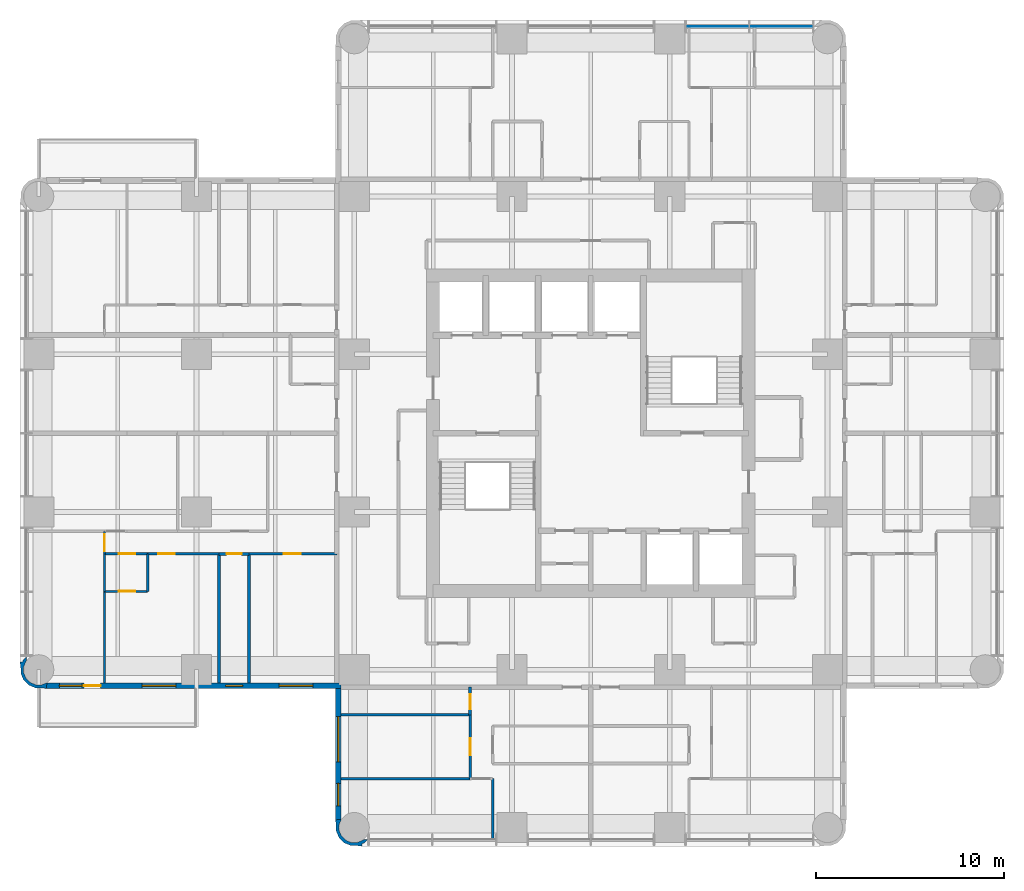
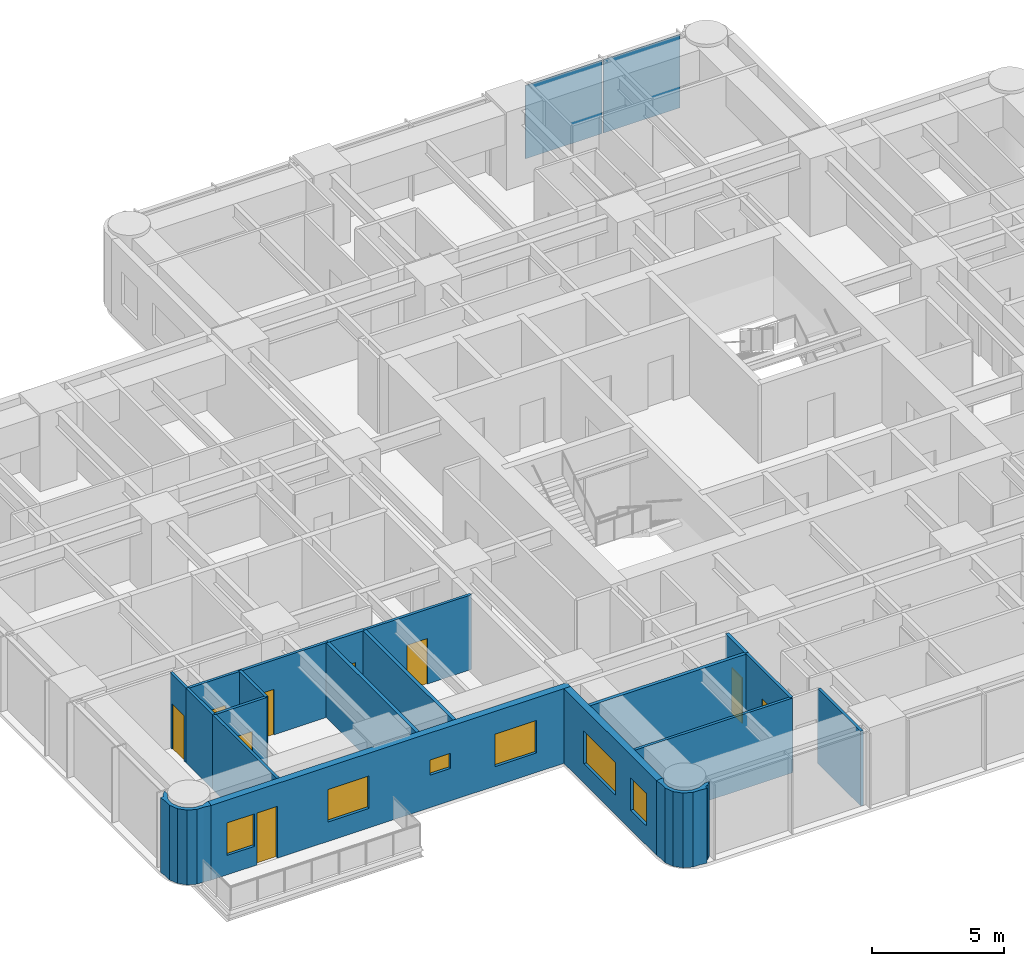
# One storey, part 4 of 11: 20 walls, 9 doors, 6 windows, 2 plates, 15 openings, 1 element without a shape of its own.
"""IFC4 building model written with IfcOpenShell, lengths in metres."""

from ifc_helpers import new_model, si_unit, direction, frame, frame_2d, origin, origin_2d, place, context, subcontext, project, spatial, polyline, rectangle, outline, extrude, material, layer, layer_set, type_object, element, fill, aggregate, save


model = new_model("IFC4")

# Units and contexts
model_context = context("Model", 3, precision=1e-05, world=origin(), true_north=direction((0.0, 1.0)))
body_context = subcontext(model_context, "Body", "Model", "MODEL_VIEW")
ifc_project = project(units=[si_unit("LENGTHUNIT", "METRE"), si_unit("AREAUNIT", "SQUARE_METRE"), si_unit("VOLUMEUNIT", "CUBIC_METRE"), si_unit("PLANEANGLEUNIT", "RADIAN"), si_unit("MASSUNIT", "GRAM", prefix="KILO")], contexts=[model_context])

# Site, building, storey
site_placement = place(None, origin())
site = spatial("IfcSite", under=ifc_project, at=site_placement, CompositionType="ELEMENT")
building_placement = place(site_placement, origin())
building = spatial("IfcBuilding", under=site, at=building_placement, Name="Torre Alcanfor", CompositionType="ELEMENT")
storey_placement = place(building_placement, frame((0.0, 0.0, 240.89990234375)))
storey = spatial("IfcBuildingStorey", under=building, at=storey_placement, Name="L63", CompositionType="ELEMENT", Elevation=240.89990234375)

# Curtain wall, plates
ifc_material_1 = material(Name="Aluminium and glass", Category="aluminium")
curtain_wall_type = type_object("IfcCurtainWallType", Name="CW-A unitised apartment glazing with vertical FIN", PredefinedType="NOTDEFINED", material=ifc_material_1)
curtain_wall_placement = place(storey_placement, origin())
curtain_wall = element("IfcCurtainWall", 1, at=curtain_wall_placement, inside=storey, type_object=curtain_wall_type, Name="Curtain wall CW-A L63 11", PredefinedType="NOTDEFINED")
ifc_material_2 = material(Name="Glass", Category="glass")
ifc_layer_1 = layer(ifc_material_2, 0.028076171875)
ifc_layer_set_1 = layer_set([ifc_layer_1], Name="CW-A clear double glazed unit")
plate_type = type_object("IfcPlateType", Name="CW-A clear double glazed unit", PredefinedType="CURTAIN_PANEL", material=ifc_layer_set_1)
plate_1_placement = place(storey_placement, frame((39.541259765625, 51.050048828125, 0.0), z_axis=(0.0, 0.0, 1.0), x_axis=(-1.0, 0.0, 0.0)))
plate_1 = element("IfcPlate", 2, at=plate_1_placement, type_object=plate_type, Name="CW-A panel 1.1.1", PredefinedType="CURTAIN_PANEL", context=body_context, shape_type="SweptSolid", body=[
    extrude(rectangle(XDim=3.337646484375, YDim=0.028076171875, at=origin_2d()), origin(), (0.0, 0.0, 1.0), 3.385009765625),
])
plate_2_placement = place(storey_placement, frame((36.138671875, 51.050048828125, 0.0), z_axis=(0.0, 0.0, 1.0), x_axis=(-1.0, 0.0, 0.0)))
plate_2 = element("IfcPlate", 3, at=plate_2_placement, type_object=plate_type, Name="CW-A panel 1.2.1", PredefinedType="CURTAIN_PANEL", context=body_context, shape_type="SweptSolid", body=[
    extrude(rectangle(XDim=3.337646484375, YDim=0.028076171875, at=origin_2d()), origin(), (0.0, 0.0, 1.0), 3.385009765625),
])
aggregate(curtain_wall, [plate_1, plate_2])

# Wall, opening, door
ifc_material_3 = material(Name="Gypsum board on steel studs", Category="steel")
ifc_layer_2 = layer(ifc_material_3, 0.1201171875)
ifc_layer_set_2 = layer_set([ifc_layer_2], Name="Apartment partition 120")
wall_type_1 = type_object("IfcWallType", Name="Apartment partition 120", PredefinedType="PARTITIONING", material=ifc_layer_set_2)
wall_1_placement = place(storey_placement, frame((22.970947265625, 11.0, 0.0), z_axis=(0.0, 0.0, 1.0), x_axis=(0.0, 1.0, 0.0)))
wall_1 = element("IfcWall", 4, at=wall_1_placement, inside=storey, type_object=wall_type_1, Name="Partition L63-S2-LIVING / L63-S2-STUDY", PredefinedType="PARTITIONING", context=body_context, shape_type="SweptSolid", body=[
    extrude(rectangle(XDim=3.39990234375, YDim=0.1201171875, at=frame_2d((1.699951171875, 0.0))), origin(), (0.0, 0.0, 1.0), 3.4501953125),
])
opening_1_placement = place(wall_1_placement, frame((1.25, 0.0, 0.0)))
opening_1 = element("IfcOpeningElement", 5, at=opening_1_placement, cuts=wall_1, Name="Opening D-R1", PredefinedType="OPENING", context=body_context, shape_type="SweptSolid", body=[
    extrude(rectangle(XDim=0.89990234375, YDim=2.10009765625, at=frame_2d((0.449951171875, 1.050048828125))), frame((0.0, 0.070068359375, 0.0), z_axis=(0.0, -1.0, 0.0), x_axis=(1.0, 0.0, 0.0)), (0.0, 0.0, 1.0), 0.14013671875),
])
ifc_material_4 = material(Name="Timber", Category="wood")
door_type_1 = type_object("IfcDoorType", Name="Internal door 900x2100", OperationType="SINGLE_SWING_LEFT", PredefinedType="DOOR", material=ifc_material_4)
door_1_placement = place(opening_1_placement, origin())
door_1 = element("IfcDoor", 6, at=door_1_placement, inside=storey, type_object=door_type_1, Name="Door L63-S2 study", OperationType="SINGLE_SWING_LEFT", OverallHeight=2.10009765625, OverallWidth=0.89990234375, PredefinedType="DOOR", context=body_context, shape_type="SweptSolid", body=[
    extrude(rectangle(XDim=0.89990234375, YDim=2.10009765625, at=frame_2d((0.449951171875, 1.050048828125))), frame((0.0, 0.02490234375, 0.0), z_axis=(0.0, -1.0, 0.0), x_axis=(1.0, 0.0, 0.0)), (0.0, 0.0, 1.0), 0.050048828125),
])
fill(opening_1, door_1)

# Walls
wall_2_placement = place(storey_placement, frame((24.1708984375, 7.75, 0.0), z_axis=(0.0, 0.0, 1.0), x_axis=(0.0, 1.0, 0.0)))
element("IfcWall", 7, at=wall_2_placement, inside=storey, type_object=wall_type_1, Name="Partition L63-S2-LIVING / L63-S2-MASTER", PredefinedType="PARTITIONING", context=body_context, shape_type="SweptSolid", body=[
    extrude(rectangle(XDim=3.25, YDim=0.1201171875, at=frame_2d((1.625, 0.0))), origin(), (0.0, 0.0, 1.0), 3.4501953125),
])
wall_3_placement = place(storey_placement, frame((22.970947265625, 11.0, 0.0), z_axis=(0.0, 0.0, 1.0), x_axis=(-1.0, 0.0, 0.0)))
element("IfcWall", 8, at=wall_3_placement, inside=storey, type_object=wall_type_1, Name="Partition L63-S2-STUDY / L63-S2-MASTER", PredefinedType="PARTITIONING", context=body_context, shape_type="SweptSolid", body=[
    extrude(rectangle(XDim=6.870849609375, YDim=0.1201171875, at=frame_2d((3.435546875, 0.0))), origin(), (0.0, 0.0, 1.0), 3.4501953125),
])

# Wall, opening, door
wall_4_placement = place(storey_placement, frame((11.199951171875, 22.970947265625, 0.0), z_axis=(0.0, 0.0, 1.0), x_axis=(1.0, 0.0, 0.0)))
wall_4 = element("IfcWall", 9, at=wall_4_placement, inside=storey, type_object=wall_type_1, Name="Partition L63-W1-HALL / L63-W1-BED2", PredefinedType="PARTITIONING", context=body_context, shape_type="SweptSolid", body=[
    extrude(rectangle(XDim=4.675048828125, YDim=0.1201171875, at=frame_2d((2.33740234375, 0.0))), origin(), (0.0, 0.0, 1.0), 3.4501953125),
])
opening_2_placement = place(wall_4_placement, frame((1.85009765625, 0.0, 0.0)))
opening_2 = element("IfcOpeningElement", 10, at=opening_2_placement, cuts=wall_4, Name="Opening D-R1", PredefinedType="OPENING", context=body_context, shape_type="SweptSolid", body=[
    extrude(rectangle(XDim=0.89990234375, YDim=2.10009765625, at=frame_2d((0.449951171875, 1.050048828125))), frame((0.0, 0.070068359375, 0.0), z_axis=(0.0, -1.0, 0.0), x_axis=(1.0, 0.0, 0.0)), (0.0, 0.0, 1.0), 0.14013671875),
])
door_2_placement = place(opening_2_placement, frame((0.89990234375, 0.0, 0.0), z_axis=(0.0, 0.0, 1.0), x_axis=(-1.0, 0.0, 0.0)))
door_2 = element("IfcDoor", 11, at=door_2_placement, inside=storey, type_object=door_type_1, Name="Door L63-W1 bed2", OperationType="SINGLE_SWING_RIGHT", OverallHeight=2.10009765625, OverallWidth=0.89990234375, PredefinedType="DOOR", context=body_context, shape_type="SweptSolid", body=[
    extrude(rectangle(XDim=0.89990234375, YDim=2.10009765625, at=frame_2d((0.449951171875, 1.050048828125))), frame((0.0, 0.025146484375, 0.0), z_axis=(0.0, -1.0, 0.0), x_axis=(1.0, 0.0, 0.0)), (0.0, 0.0, 1.0), 0.050048828125),
])
fill(opening_2, door_2)

wall_5_placement = place(storey_placement, frame((5.800048828125, 22.970947265625, 0.0), z_axis=(0.0, 0.0, 1.0), x_axis=(1.0, 0.0, 0.0)))
wall_5 = element("IfcWall", 12, at=wall_5_placement, inside=storey, type_object=wall_type_1, Name="Partition L63-W1-HALL / L63-W1-MASTER", PredefinedType="PARTITIONING", context=body_context, shape_type="SweptSolid", body=[
    extrude(rectangle(XDim=3.800048828125, YDim=0.1201171875, at=frame_2d((1.89990234375, 0.0))), origin(), (0.0, 0.0, 1.0), 3.4501953125),
])
opening_3_placement = place(wall_5_placement, frame((0.550048828125, 0.0, 0.0)))
opening_3 = element("IfcOpeningElement", 13, at=opening_3_placement, cuts=wall_5, Name="Opening D-R1", PredefinedType="OPENING", context=body_context, shape_type="SweptSolid", body=[
    extrude(rectangle(XDim=0.89990234375, YDim=2.10009765625, at=frame_2d((0.449951171875, 1.050048828125))), frame((0.0, 0.070068359375, 0.0), z_axis=(0.0, -1.0, 0.0), x_axis=(1.0, 0.0, 0.0)), (0.0, 0.0, 1.0), 0.14013671875),
])
door_3_placement = place(opening_3_placement, frame((0.89990234375, 0.0, 0.0), z_axis=(0.0, 0.0, 1.0), x_axis=(-1.0, 0.0, 0.0)))
door_3 = element("IfcDoor", 14, at=door_3_placement, inside=storey, type_object=door_type_1, Name="Door L63-W1 master", OperationType="SINGLE_SWING_RIGHT", OverallHeight=2.10009765625, OverallWidth=0.89990234375, PredefinedType="DOOR", context=body_context, shape_type="SweptSolid", body=[
    extrude(rectangle(XDim=0.89990234375, YDim=2.10009765625, at=frame_2d((0.449951171875, 1.050048828125))), frame((0.0, 0.025146484375, 0.0), z_axis=(0.0, -1.0, 0.0), x_axis=(1.0, 0.0, 0.0)), (0.0, 0.0, 1.0), 0.050048828125),
])
fill(opening_3, door_3)

wall_6_placement = place(storey_placement, frame((3.5, 22.970947265625, 0.0), z_axis=(0.0, 0.0, 1.0), x_axis=(1.0, 0.0, 0.0)))
wall_6 = element("IfcWall", 15, at=wall_6_placement, inside=storey, type_object=wall_type_1, Name="Partition L63-W1-HALL / L63-W1-VEST", PredefinedType="PARTITIONING", context=body_context, shape_type="SweptSolid", body=[
    extrude(rectangle(XDim=2.300048828125, YDim=0.1201171875, at=frame_2d((1.14990234375, 0.0))), origin(), (0.0, 0.0, 1.0), 3.4501953125),
])
opening_4_placement = place(wall_6_placement, frame((0.75, 0.0, 0.0)))
opening_4 = element("IfcOpeningElement", 16, at=opening_4_placement, cuts=wall_6, Name="Opening D-R1", PredefinedType="OPENING", context=body_context, shape_type="SweptSolid", body=[
    extrude(rectangle(XDim=0.89990234375, YDim=2.10009765625, at=frame_2d((0.449951171875, 1.050048828125))), frame((0.0, 0.070068359375, 0.0), z_axis=(0.0, -1.0, 0.0), x_axis=(1.0, 0.0, 0.0)), (0.0, 0.0, 1.0), 0.14013671875),
])
door_4_placement = place(opening_4_placement, frame((0.89990234375, 0.0, 0.0), z_axis=(0.0, 0.0, 1.0), x_axis=(-1.0, 0.0, 0.0)))
door_4 = element("IfcDoor", 17, at=door_4_placement, inside=storey, type_object=door_type_1, Name="Door L63-W1 vest", OperationType="SINGLE_SWING_LEFT", OverallHeight=2.10009765625, OverallWidth=0.89990234375, PredefinedType="DOOR", context=body_context, shape_type="SweptSolid", body=[
    extrude(rectangle(XDim=0.89990234375, YDim=2.10009765625, at=frame_2d((0.449951171875, 1.050048828125))), frame((0.0, 0.025146484375, 0.0), z_axis=(0.0, -1.0, 0.0), x_axis=(1.0, 0.0, 0.0)), (0.0, 0.0, 1.0), 0.050048828125),
])
fill(opening_4, door_4)

wall_7_placement = place(storey_placement, frame((3.5, 24.1708984375, 0.0), z_axis=(0.0, 0.0, 1.0), x_axis=(0.0, -1.0, 0.0)))
wall_7 = element("IfcWall", 18, at=wall_7_placement, inside=storey, type_object=wall_type_1, Name="Partition L63-W1-HALL / L63-W1-WGARD", PredefinedType="PARTITIONING", context=body_context, shape_type="SweptSolid", body=[
    extrude(rectangle(XDim=1.199951171875, YDim=0.1201171875, at=frame_2d((0.60009765625, 0.0))), origin(), (0.0, 0.0, 1.0), 3.4501953125),
])
opening_5_placement = place(wall_7_placement, frame((0.15087890625, 0.0, 0.0)))
opening_5 = element("IfcOpeningElement", 19, at=opening_5_placement, cuts=wall_7, Name="Opening D-R1", PredefinedType="OPENING", context=body_context, shape_type="SweptSolid", body=[
    extrude(rectangle(XDim=0.89990234375, YDim=2.10009765625, at=frame_2d((0.449951171875, 1.050048828125))), frame((0.0, 0.070068359375, 0.0), z_axis=(0.0, -1.0, 0.0), x_axis=(1.0, 0.0, 0.0)), (0.0, 0.0, 1.0), 0.14013671875),
])
door_5_placement = place(opening_5_placement, frame((0.89990234375, 0.0, 0.0), z_axis=(0.0, 0.0, 1.0), x_axis=(-1.0, 0.0, 0.0)))
door_5 = element("IfcDoor", 20, at=door_5_placement, inside=storey, type_object=door_type_1, Name="Door L63-W1 wgard", OperationType="SINGLE_SWING_RIGHT", OverallHeight=2.10009765625, OverallWidth=0.89990234375, PredefinedType="DOOR", context=body_context, shape_type="SweptSolid", body=[
    extrude(rectangle(XDim=0.89990234375, YDim=2.10009765625, at=frame_2d((0.449951171875, 1.050048828125))), frame((0.0, 0.025146484375, 0.0), z_axis=(0.0, -1.0, 0.0), x_axis=(1.0, 0.0, 0.0)), (0.0, 0.0, 1.0), 0.050048828125),
])
fill(opening_5, door_5)

wall_8_placement = place(storey_placement, frame((3.5, 20.970947265625, 0.0), z_axis=(0.0, 0.0, 1.0), x_axis=(1.0, 0.0, 0.0)))
wall_8 = element("IfcWall", 21, at=wall_8_placement, inside=storey, type_object=wall_type_1, Name="Partition L63-W1-MASTER / L63-W1-VEST", PredefinedType="PARTITIONING", context=body_context, shape_type="SweptSolid", body=[
    extrude(rectangle(XDim=2.300048828125, YDim=0.1201171875, at=frame_2d((1.14990234375, 0.0))), origin(), (0.0, 0.0, 1.0), 3.4501953125),
])
opening_6_placement = place(wall_8_placement, frame((0.75, 0.0, 0.0)))
opening_6 = element("IfcOpeningElement", 22, at=opening_6_placement, cuts=wall_8, Name="Opening D-R1", PredefinedType="OPENING", context=body_context, shape_type="SweptSolid", body=[
    extrude(rectangle(XDim=0.89990234375, YDim=2.10009765625, at=frame_2d((0.449951171875, 1.050048828125))), frame((0.0, 0.070068359375, 0.0), z_axis=(0.0, -1.0, 0.0), x_axis=(1.0, 0.0, 0.0)), (0.0, 0.0, 1.0), 0.14013671875),
])
door_6_placement = place(opening_6_placement, origin())
door_6 = element("IfcDoor", 23, at=door_6_placement, inside=storey, type_object=door_type_1, Name="Door L63-W1 master", OperationType="SINGLE_SWING_RIGHT", OverallHeight=2.10009765625, OverallWidth=0.89990234375, PredefinedType="DOOR", context=body_context, shape_type="SweptSolid", body=[
    extrude(rectangle(XDim=0.89990234375, YDim=2.10009765625, at=frame_2d((0.449951171875, 1.050048828125))), frame((0.0, 0.02490234375, 0.0), z_axis=(0.0, -1.0, 0.0), x_axis=(1.0, 0.0, 0.0)), (0.0, 0.0, 1.0), 0.050048828125),
])
fill(opening_6, door_6)

# Walls
wall_9_placement = place(storey_placement, frame((5.800048828125, 20.970947265625, 0.0), z_axis=(0.0, 0.0, 1.0), x_axis=(0.0, 1.0, 0.0)))
element("IfcWall", 24, at=wall_9_placement, inside=storey, type_object=wall_type_1, Name="Partition L63-W1-MASTER / L63-W1-VEST", PredefinedType="PARTITIONING", context=body_context, shape_type="SweptSolid", body=[
    extrude(rectangle(XDim=2.0, YDim=0.1201171875, at=frame_2d((1.0, 0.0))), origin(), (0.0, 0.0, 1.0), 3.4501953125),
])
wall_10_placement = place(storey_placement, frame((3.5, 16.10009765625, 0.0), z_axis=(0.0, 0.0, 1.0), x_axis=(0.0, 1.0, 0.0)))
element("IfcWall", 25, at=wall_10_placement, inside=storey, type_object=wall_type_1, Name="Partition L63-W1-MASTER / L63-W1-WGARD", PredefinedType="PARTITIONING", context=body_context, shape_type="SweptSolid", body=[
    extrude(rectangle(XDim=4.870849609375, YDim=0.1201171875, at=frame_2d((2.435546875, 0.0))), origin(), (0.0, 0.0, 1.0), 3.4501953125),
])
wall_11_placement = place(storey_placement, frame((3.5, 22.970947265625, 0.0), z_axis=(0.0, 0.0, 1.0), x_axis=(0.0, -1.0, 0.0)))
element("IfcWall", 26, at=wall_11_placement, inside=storey, type_object=wall_type_1, Name="Partition L63-W1-VEST / L63-W1-WGARD", PredefinedType="PARTITIONING", context=body_context, shape_type="SweptSolid", body=[
    extrude(rectangle(XDim=2.0, YDim=0.1201171875, at=frame_2d((1.0, 0.0))), origin(), (0.0, 0.0, 1.0), 3.4501953125),
])

# Wall, openings, door, windows
ifc_material_5 = material(Name="Limestone cladding", Category="masonry")
ifc_layer_3 = layer(ifc_material_5, 0.0400390625, Name="Facing")
ifc_material_6 = material(Name="Ventilated air cavity")
ifc_layer_4 = layer(ifc_material_6, 0.02001953125, ventilated=True, Name="Ventilated joint")
ifc_material_7 = material(Name="Mineral wool insulation", Category="insulation")
ifc_layer_5 = layer(ifc_material_7, 0.10009765625, Name="Insulation")
ifc_material_8 = material(Name="Concrete f'c 35 MPa", Category="concrete")
ifc_layer_6 = layer(ifc_material_8, 0.139892578125, Name="Backing")
ifc_layer_set_3 = layer_set([ifc_layer_3, ifc_layer_4, ifc_layer_5, ifc_layer_6], Name="External wall stone-clad 300")
wall_type_2 = type_object("IfcWallType", Name="External wall stone-clad 300", PredefinedType="SOLIDWALL", material=ifc_layer_set_3)
wall_12_placement = place(storey_placement, frame((0.39990234375, 15.949951171875, 0.0), z_axis=(0.0, 0.0, 1.0), x_axis=(1.0, 0.0, 0.0)))
wall_12 = element("IfcWall", 27, at=wall_12_placement, inside=storey, type_object=wall_type_2, Name="External wall L63 3", PredefinedType="SOLIDWALL", context=body_context, shape_type="SweptSolid", body=[
    extrude(rectangle(XDim=15.7001953125, YDim=0.300048828125, at=frame_2d((7.85009765625, 0.0))), origin(), (0.0, 0.0, 1.0), 3.4501953125),
])
opening_7_placement = place(wall_12_placement, frame((12.39990234375, 0.0, 0.89990234375)))
opening_7 = element("IfcOpeningElement", 28, at=opening_7_placement, cuts=wall_12, Name="Opening W2", PredefinedType="OPENING", context=body_context, shape_type="SweptSolid", body=[
    extrude(rectangle(XDim=1.800048828125, YDim=1.5, at=frame_2d((0.89990234375, 0.75))), frame((0.0, 0.159912109375, 0.0), z_axis=(0.0, -1.0, 0.0), x_axis=(1.0, 0.0, 0.0)), (0.0, 0.0, 1.0), 0.320068359375),
])
opening_8_placement = place(wall_12_placement, frame((9.550048828125, 0.0, 1.5)))
opening_8 = element("IfcOpeningElement", 29, at=opening_8_placement, cuts=wall_12, Name="Opening W3", PredefinedType="OPENING", context=body_context, shape_type="SweptSolid", body=[
    extrude(rectangle(XDim=0.89990234375, YDim=0.699951171875, at=frame_2d((0.449951171875, 0.35009765625))), frame((0.0, 0.159912109375, 0.0), z_axis=(0.0, -1.0, 0.0), x_axis=(1.0, 0.0, 0.0)), (0.0, 0.0, 1.0), 0.320068359375),
])
opening_9_placement = place(wall_12_placement, frame((5.10009765625, 0.0, 0.89990234375)))
opening_9 = element("IfcOpeningElement", 30, at=opening_9_placement, cuts=wall_12, Name="Opening W2", PredefinedType="OPENING", context=body_context, shape_type="SweptSolid", body=[
    extrude(rectangle(XDim=1.800048828125, YDim=1.5, at=frame_2d((0.89990234375, 0.75))), frame((0.0, 0.159912109375, 0.0), z_axis=(0.0, -1.0, 0.0), x_axis=(1.0, 0.0, 0.0)), (0.0, 0.0, 1.0), 0.320068359375),
])
opening_10_placement = place(wall_12_placement, frame((2.0, 0.0, 0.0)))
opening_10 = element("IfcOpeningElement", 31, at=opening_10_placement, cuts=wall_12, Name="Opening D-B1", PredefinedType="OPENING", context=body_context, shape_type="SweptSolid", body=[
    extrude(rectangle(XDim=0.89990234375, YDim=2.39990234375, at=frame_2d((0.449951171875, 1.199951171875))), frame((0.0, 0.159912109375, 0.0), z_axis=(0.0, -1.0, 0.0), x_axis=(1.0, 0.0, 0.0)), (0.0, 0.0, 1.0), 0.320068359375),
])
opening_11_placement = place(wall_12_placement, frame((0.699951171875, 0.0, 0.89990234375)))
opening_11 = element("IfcOpeningElement", 32, at=opening_11_placement, cuts=wall_12, Name="Opening W4", PredefinedType="OPENING", context=body_context, shape_type="SweptSolid", body=[
    extrude(rectangle(XDim=1.199951171875, YDim=1.5, at=frame_2d((0.60009765625, 0.75))), frame((0.0, 0.159912109375, 0.0), z_axis=(0.0, -1.0, 0.0), x_axis=(1.0, 0.0, 0.0)), (0.0, 0.0, 1.0), 0.320068359375),
])
ifc_material_9 = material(Name="Aluminium and glass", Category="aluminium")
door_type_2 = type_object("IfcDoorType", Name="Balcony door glazed 900x2400", OperationType="SINGLE_SWING_LEFT", PredefinedType="DOOR", material=ifc_material_9)
door_7_placement = place(opening_10_placement, origin())
door_7 = element("IfcDoor", 33, at=door_7_placement, inside=storey, type_object=door_type_2, Name="Balcony door L63-W1", OperationType="SINGLE_SWING_RIGHT", OverallHeight=2.39990234375, OverallWidth=0.89990234375, PredefinedType="DOOR", context=body_context, shape_type="SweptSolid", body=[
    extrude(rectangle(XDim=0.89990234375, YDim=2.39990234375, at=frame_2d((0.449951171875, 1.199951171875))), frame((0.0, 0.02490234375, 0.0), z_axis=(0.0, -1.0, 0.0), x_axis=(1.0, 0.0, 0.0)), (0.0, 0.0, 1.0), 0.050048828125),
])
fill(opening_10, door_7)
ifc_material_10 = material(Name="Aluminium frame with clear double glazing", Category="aluminium")
window_type_1 = type_object("IfcWindowType", Name="Window bathroom 900x700", PartitioningType="SINGLE_PANEL", PredefinedType="WINDOW", material=ifc_material_10)
window_1_placement = place(opening_8_placement, origin())
window_1 = element("IfcWindow", 34, at=window_1_placement, inside=storey, type_object=window_type_1, Name="Window W3 L63-W1", OverallHeight=0.699951171875, OverallWidth=0.89990234375, PartitioningType="SINGLE_PANEL", PredefinedType="WINDOW", context=body_context, shape_type="SweptSolid", body=[
    extrude(rectangle(XDim=0.89990234375, YDim=0.699951171875, at=frame_2d((0.449951171875, 0.35009765625))), frame((0.0, 0.030029296875, 0.0), z_axis=(0.0, -1.0, 0.0), x_axis=(1.0, 0.0, 0.0)), (0.0, 0.0, 1.0), 0.06005859375),
])
fill(opening_8, window_1)
ifc_material_11 = material(Name="Aluminium frame with clear double glazing", Category="aluminium")
window_type_2 = type_object("IfcWindowType", Name="Window bedroom 1200x1500", PartitioningType="SINGLE_PANEL", PredefinedType="WINDOW", material=ifc_material_11)
window_2_placement = place(opening_11_placement, origin())
window_2 = element("IfcWindow", 35, at=window_2_placement, inside=storey, type_object=window_type_2, Name="Window W4 L63-W1", OverallHeight=1.5, OverallWidth=1.199951171875, PartitioningType="SINGLE_PANEL", PredefinedType="WINDOW", context=body_context, shape_type="SweptSolid", body=[
    extrude(rectangle(XDim=1.199951171875, YDim=1.5, at=frame_2d((0.60009765625, 0.75))), frame((0.0, 0.030029296875, 0.0), z_axis=(0.0, -1.0, 0.0), x_axis=(1.0, 0.0, 0.0)), (0.0, 0.0, 1.0), 0.06005859375),
])
fill(opening_11, window_2)
ifc_material_12 = material(Name="Aluminium frame with clear double glazing", Category="aluminium")
window_type_3 = type_object("IfcWindowType", Name="Window bedroom 1800x1500", PartitioningType="SINGLE_PANEL", PredefinedType="WINDOW", material=ifc_material_12)
window_3_placement = place(opening_7_placement, origin())
window_3 = element("IfcWindow", 36, at=window_3_placement, inside=storey, type_object=window_type_3, Name="Window W2 L63-W1", OverallHeight=1.5, OverallWidth=1.800048828125, PartitioningType="SINGLE_PANEL", PredefinedType="WINDOW", context=body_context, shape_type="SweptSolid", body=[
    extrude(rectangle(XDim=1.800048828125, YDim=1.5, at=frame_2d((0.89990234375, 0.75))), frame((0.0, 0.030029296875, 0.0), z_axis=(0.0, -1.0, 0.0), x_axis=(1.0, 0.0, 0.0)), (0.0, 0.0, 1.0), 0.06005859375),
])
fill(opening_7, window_3)
window_4_placement = place(opening_9_placement, origin())
window_4 = element("IfcWindow", 37, at=window_4_placement, inside=storey, type_object=window_type_3, Name="Window W2 L63-W1", OverallHeight=1.5, OverallWidth=1.800048828125, PartitioningType="SINGLE_PANEL", PredefinedType="WINDOW", context=body_context, shape_type="SweptSolid", body=[
    extrude(rectangle(XDim=1.800048828125, YDim=1.5, at=frame_2d((0.89990234375, 0.75))), frame((0.0, 0.030029296875, 0.0), z_axis=(0.0, -1.0, 0.0), x_axis=(1.0, 0.0, 0.0)), (0.0, 0.0, 1.0), 0.06005859375),
])
fill(opening_9, window_4)

# Wall, openings, windows
wall_13_placement = place(storey_placement, frame((15.949951171875, 15.800048828125, 0.0), z_axis=(0.0, 0.0, 1.0), x_axis=(0.0, -1.0, 0.0)))
wall_13 = element("IfcWall", 38, at=wall_13_placement, inside=storey, type_object=wall_type_2, Name="External wall L63 4", PredefinedType="SOLIDWALL", context=body_context, shape_type="SweptSolid", body=[
    extrude(rectangle(XDim=7.0, YDim=0.300048828125, at=frame_2d((3.5, 0.0))), origin(), (0.0, 0.0, 1.0), 3.4501953125),
])
opening_12_placement = place(wall_13_placement, frame((1.5, 0.0, 0.89990234375)))
opening_12 = element("IfcOpeningElement", 39, at=opening_12_placement, cuts=wall_13, Name="Opening W1", PredefinedType="OPENING", context=body_context, shape_type="SweptSolid", body=[
    extrude(rectangle(XDim=2.39990234375, YDim=1.5, at=frame_2d((1.199951171875, 0.75))), frame((0.0, 0.159912109375, 0.0), z_axis=(0.0, -1.0, 0.0), x_axis=(1.0, 0.0, 0.0)), (0.0, 0.0, 1.0), 0.320068359375),
])
opening_13_placement = place(wall_13_placement, frame((5.050048828125, 0.0, 0.89990234375)))
opening_13 = element("IfcOpeningElement", 40, at=opening_13_placement, cuts=wall_13, Name="Opening W4", PredefinedType="OPENING", context=body_context, shape_type="SweptSolid", body=[
    extrude(rectangle(XDim=1.199951171875, YDim=1.5, at=frame_2d((0.60009765625, 0.75))), frame((0.0, 0.159912109375, 0.0), z_axis=(0.0, -1.0, 0.0), x_axis=(1.0, 0.0, 0.0)), (0.0, 0.0, 1.0), 0.320068359375),
])
window_5_placement = place(opening_13_placement, origin())
window_5 = element("IfcWindow", 41, at=window_5_placement, inside=storey, type_object=window_type_2, Name="Window W4 L63-S2", OverallHeight=1.5, OverallWidth=1.199951171875, PartitioningType="SINGLE_PANEL", PredefinedType="WINDOW", context=body_context, shape_type="SweptSolid", body=[
    extrude(rectangle(XDim=1.199951171875, YDim=1.5, at=frame_2d((0.60009765625, 0.75))), frame((0.0, 0.030029296875, 0.0), z_axis=(0.0, -1.0, 0.0), x_axis=(1.0, 0.0, 0.0)), (0.0, 0.0, 1.0), 0.06005859375),
])
fill(opening_13, window_5)
ifc_material_13 = material(Name="Aluminium frame with clear double glazing", Category="aluminium")
window_type_4 = type_object("IfcWindowType", Name="Window bedroom 2400x1500", PartitioningType="SINGLE_PANEL", PredefinedType="WINDOW", material=ifc_material_13)
window_6_placement = place(opening_12_placement, origin())
window_6 = element("IfcWindow", 42, at=window_6_placement, inside=storey, type_object=window_type_4, Name="Window W1 L63-S2", OverallHeight=1.5, OverallWidth=2.39990234375, PartitioningType="SINGLE_PANEL", PredefinedType="WINDOW", context=body_context, shape_type="SweptSolid", body=[
    extrude(rectangle(XDim=2.39990234375, YDim=1.5, at=frame_2d((1.199951171875, 0.75))), frame((0.0, 0.030029296875, 0.0), z_axis=(0.0, -1.0, 0.0), x_axis=(1.0, 0.0, 0.0)), (0.0, 0.0, 1.0), 0.06005859375),
])
fill(opening_12, window_6)

# Walls
ifc_layer_7 = layer(ifc_material_5, 0.0400390625, Name="Facing")
ifc_layer_8 = layer(ifc_material_6, 0.02001953125, ventilated=True, Name="Ventilated joint")
ifc_layer_9 = layer(ifc_material_7, 0.10009765625, Name="Insulation")
ifc_layer_10 = layer(ifc_material_8, 0.139892578125, Name="Backing")
ifc_layer_set_4 = layer_set([ifc_layer_7, ifc_layer_8, ifc_layer_9, ifc_layer_10], Name="Rounded corner pier stone-clad 300")
wall_type_3 = type_object("IfcWallType", Name="Rounded corner pier stone-clad 300", PredefinedType="SOLIDWALL", material=ifc_layer_set_4)
wall_14_placement = place(storey_placement, frame((-0.595317512, 17.448071802, 0.0), z_axis=(0.0, 0.0, 1.0), x_axis=(-0.93923434088, -0.343276641956, 0.0)))
element("IfcWall", 43, at=wall_14_placement, inside=storey, type_object=wall_type_3, Name="Corner pier L63 14", PredefinedType="SOLIDWALL", context=body_context, shape_type="SweptSolid", body=[
    extrude(outline(polyline([(-0.36901687290747565, 1.8895155017116005), (-0.5091640790076659, 1.6212761977701722), (-0.4905903530283585, 1.6144877680830545), (-0.47948243923657013, 1.6086084348003613), (-0.21122522327048593, 1.6199972505432854), (0.08778883447046232, 1.5107119133580826), (0.3225108976454373, 1.2952164137736593), (0.4570343816413681, 1.0061292766156664), (0.470385530542732, 0.6877670550734887), (0.36101638558361415, 0.38852369207353665), (0.14552088599919094, 0.15380162889856172), (0.10803112982284666, 0.13657123594691412), (0.030844170047101382, -0.07461890759558078), (0.24094301513563465, 0.023009904898978376), (0.3335722649355225, 0.12354205241220817), (0.46526570659148436, 0.09412537095504334), (0.5319165148651629, 0.3931255880778293), (0.6305582647631567, 0.6630178779252955), (0.6143066479271062, 1.0445648337608835), (0.4533864294189357, 1.390867848169107), (0.172157378959642, 1.6490946263605986), (-0.09750560562882049, 1.747652568484677), (-0.36901687290747565, 1.8895155017116005)])), origin(), (0.0, 0.0, 1.0), 3.4501953125),
])
wall_15_placement = place(storey_placement, frame((15.982940512, 8.726823795, 0.0), z_axis=(0.0, 0.0, 1.0), x_axis=(-0.343276641956, -0.93923434088, 0.0)))
element("IfcWall", 44, at=wall_15_placement, inside=storey, type_object=wall_type_3, Name="Corner pier L63 15", PredefinedType="SOLIDWALL", context=body_context, shape_type="SweptSolid", body=[
    extrude(outline(polyline([(0.8285188621172053, 1.5985593448955209), (0.6965961152022397, 1.5690588556644411), (0.6041961706613557, 1.669674810951586), (0.3940973255728224, 1.767303623446145), (0.47128428534856764, 1.55611347990365), (0.5085447362659081, 1.5387992791780876), (0.7240402358503313, 1.3040772160031127), (0.8334093808094493, 1.0048338530031606), (0.8200582319080854, 0.6864716314609828), (0.6857640531711582, 0.3974683020769049), (0.4510419899961833, 0.18197280249248177), (0.15179862699623123, 0.07260365753336384), (-0.11622928371084919, 0.08407628105020303), (-0.1273371975026375, 0.0781969477675098), (-0.14614022874094865, 0.07132471030647711), (-0.0059930226407584886, -0.19691459363495123), (0.26574754989690047, -0.054967852634112954), (0.535410534485363, 0.043590089489965705), (0.8166395849446566, 0.30181686768145743), (0.9775598034528271, 0.6481198820896807), (0.9938114202888776, 1.0296668379252687), (0.8951696703908839, 1.299559127772735), (0.8285188621172053, 1.5985593448955209)])), origin(), (0.0, 0.0, 1.0), 3.4501953125),
])

# Wall, opening, door
ifc_material_14 = material(Name="Cement board on steel studs", Category="steel")
ifc_layer_11 = layer(ifc_material_14, 0.14990234375)
ifc_layer_set_5 = layer_set([ifc_layer_11], Name="Wet area partition 150")
wall_type_4 = type_object("IfcWallType", Name="Wet area partition 150", PredefinedType="PARTITIONING", material=ifc_layer_set_5)
wall_16_placement = place(storey_placement, frame((22.970947265625, 14.39990234375, 0.0), z_axis=(0.0, 0.0, 1.0), x_axis=(0.0, 1.0, 0.0)))
wall_16 = element("IfcWall", 45, at=wall_16_placement, inside=storey, type_object=wall_type_4, Name="Partition L63-S2-LIVING / L63-S2-BATH", PredefinedType="PARTITIONING", context=body_context, shape_type="SweptSolid", body=[
    extrude(rectangle(XDim=1.47509765625, YDim=0.14990234375, at=frame_2d((0.737548828125, 0.0))), origin(), (0.0, 0.0, 1.0), 3.4501953125),
])
opening_14_placement = place(wall_16_placement, frame((0.300048828125, 0.0, 0.0)))
opening_14 = element("IfcOpeningElement", 46, at=opening_14_placement, cuts=wall_16, Name="Opening D-R2", PredefinedType="OPENING", context=body_context, shape_type="SweptSolid", body=[
    extrude(rectangle(XDim=0.800048828125, YDim=2.10009765625, at=frame_2d((0.39990234375, 1.050048828125))), frame((0.0, 0.0849609375, 0.0), z_axis=(0.0, -1.0, 0.0), x_axis=(1.0, 0.0, 0.0)), (0.0, 0.0, 1.0), 0.169921875),
])
ifc_material_15 = material(Name="Timber", Category="wood")
door_type_3 = type_object("IfcDoorType", Name="Bathroom door 800x2100", OperationType="SINGLE_SWING_LEFT", PredefinedType="DOOR", material=ifc_material_15)
door_8_placement = place(opening_14_placement, origin())
door_8 = element("IfcDoor", 47, at=door_8_placement, inside=storey, type_object=door_type_3, Name="Door L63-S2 bath", OperationType="SINGLE_SWING_LEFT", OverallHeight=2.10009765625, OverallWidth=0.800048828125, PredefinedType="DOOR", context=body_context, shape_type="SweptSolid", body=[
    extrude(rectangle(XDim=0.800048828125, YDim=2.10009765625, at=frame_2d((0.39990234375, 1.050048828125))), frame((0.0, 0.02490234375, 0.0), z_axis=(0.0, -1.0, 0.0), x_axis=(1.0, 0.0, 0.0)), (0.0, 0.0, 1.0), 0.050048828125),
])
fill(opening_14, door_8)

# Wall
wall_17_placement = place(storey_placement, frame((22.970947265625, 14.39990234375, 0.0), z_axis=(0.0, 0.0, 1.0), x_axis=(-1.0, 0.0, 0.0)))
element("IfcWall", 48, at=wall_17_placement, inside=storey, type_object=wall_type_4, Name="Partition L63-S2-BATH / L63-S2-STUDY", PredefinedType="PARTITIONING", context=body_context, shape_type="SweptSolid", body=[
    extrude(rectangle(XDim=6.870849609375, YDim=0.14990234375, at=frame_2d((3.435546875, 0.0))), origin(), (0.0, 0.0, 1.0), 3.4501953125),
])

# Wall, opening, door
wall_18_placement = place(storey_placement, frame((9.60009765625, 22.970947265625, 0.0), z_axis=(0.0, 0.0, 1.0), x_axis=(1.0, 0.0, 0.0)))
wall_18 = element("IfcWall", 49, at=wall_18_placement, inside=storey, type_object=wall_type_4, Name="Partition L63-W1-HALL / L63-W1-BATH1", PredefinedType="PARTITIONING", context=body_context, shape_type="SweptSolid", body=[
    extrude(rectangle(XDim=1.599853515625, YDim=0.14990234375, at=frame_2d((0.7998046875, 0.0))), origin(), (0.0, 0.0, 1.0), 3.4501953125),
])
opening_15_placement = place(wall_18_placement, frame((0.39990234375, 0.0, 0.0)))
opening_15 = element("IfcOpeningElement", 50, at=opening_15_placement, cuts=wall_18, Name="Opening D-R2", PredefinedType="OPENING", context=body_context, shape_type="SweptSolid", body=[
    extrude(rectangle(XDim=0.800048828125, YDim=2.10009765625, at=frame_2d((0.39990234375, 1.050048828125))), frame((0.0, 0.0849609375, 0.0), z_axis=(0.0, -1.0, 0.0), x_axis=(1.0, 0.0, 0.0)), (0.0, 0.0, 1.0), 0.169921875),
])
door_9_placement = place(opening_15_placement, frame((0.800048828125, 0.0, 0.0), z_axis=(0.0, 0.0, 1.0), x_axis=(-1.0, 0.0, 0.0)))
door_9 = element("IfcDoor", 51, at=door_9_placement, inside=storey, type_object=door_type_3, Name="Door L63-W1 bath1", OperationType="SINGLE_SWING_RIGHT", OverallHeight=2.10009765625, OverallWidth=0.800048828125, PredefinedType="DOOR", context=body_context, shape_type="SweptSolid", body=[
    extrude(rectangle(XDim=0.800048828125, YDim=2.10009765625, at=frame_2d((0.400146484375, 1.050048828125))), frame((0.0, 0.025146484375, 0.0), z_axis=(0.0, -1.0, 0.0), x_axis=(1.0, 0.0, 0.0)), (0.0, 0.0, 1.0), 0.050048828125),
])
fill(opening_15, door_9)

# Walls
for number, where, z_axis, x_axis, name in (
    (52, (11.199951171875, 22.970947265625, 0.0), (0.0, 0.0, 1.0), (0.0, -1.0, 0.0), "Partition L63-W1-BED2 / L63-W1-BATH1"),
    (53, (9.60009765625, 22.970947265625, 0.0), (0.0, 0.0, 1.0), (0.0, -1.0, 0.0), "Partition L63-W1-BATH1 / L63-W1-MASTER"),
):
    element("IfcWall", number, at=place(storey_placement, frame(where, z_axis=z_axis, x_axis=x_axis)), inside=storey, type_object=wall_type_4, Name=name, PredefinedType="PARTITIONING", context=body_context, shape_type="SweptSolid", body=[
        extrude(rectangle(XDim=6.870849609375, YDim=0.14990234375, at=frame_2d((3.435546875, 0.0))), origin(), (0.0, 0.0, 1.0), 3.4501953125),
    ])

save(model, "model.ifc")
